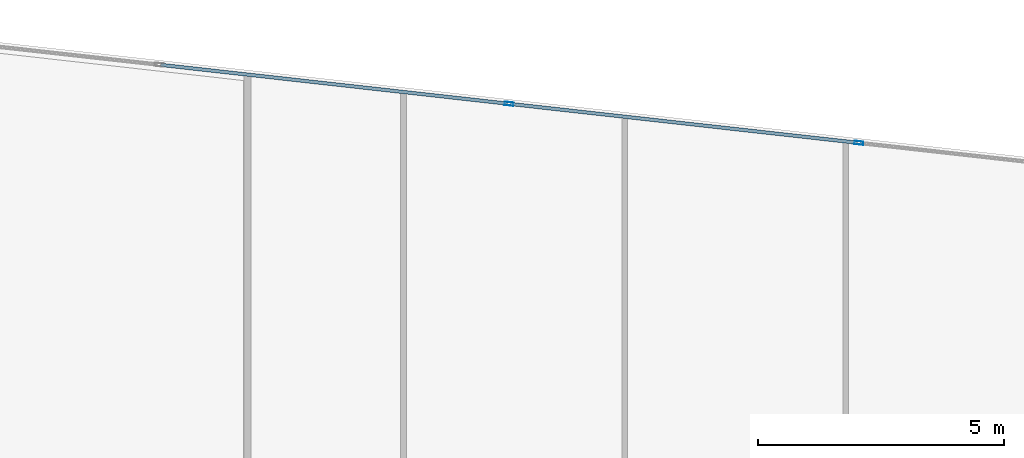
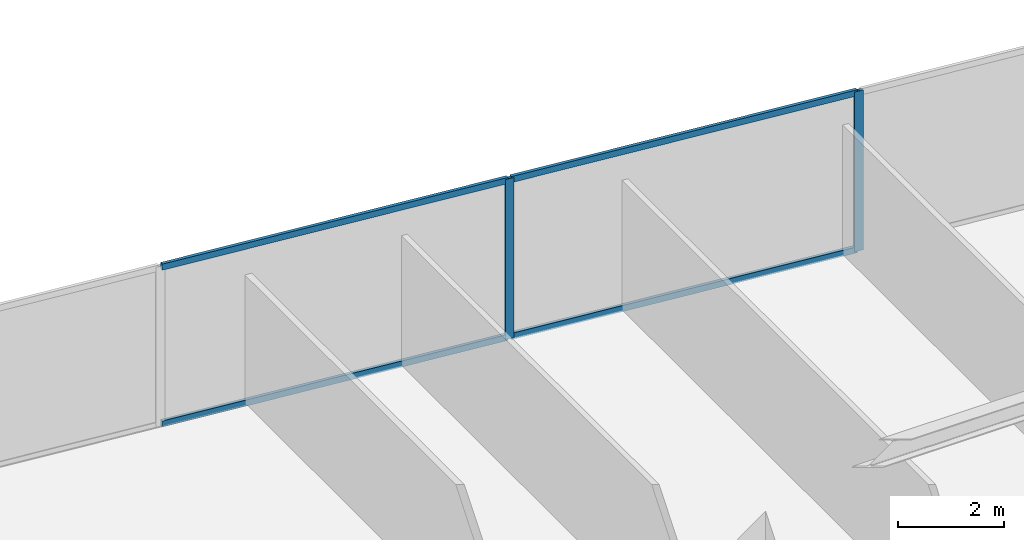
# One storey, part 19 of 31: 6 members, 1 element without a shape of its own.
"""IFC4 building model written with IfcOpenShell, lengths in metres."""

from ifc_helpers import new_model, si_unit, direction, frame, origin, origin_2d, place, context, subcontext, project, spatial, hollow_rectangle, extrude, source, transform, mapped, material, material_profile, profile_set, type_object, type_shapes, element, aggregate, save


model = new_model("IFC4")

# Units and contexts
model_context = context("Model", 3, precision=1e-05, world=origin(), true_north=direction((0.0, 1.0)))
body_context = subcontext(model_context, "Body", "Model", "MODEL_VIEW")
ifc_project = project(units=[si_unit("LENGTHUNIT", "METRE"), si_unit("AREAUNIT", "SQUARE_METRE"), si_unit("VOLUMEUNIT", "CUBIC_METRE"), si_unit("PLANEANGLEUNIT", "RADIAN"), si_unit("MASSUNIT", "GRAM", prefix="KILO")], contexts=[model_context])

# Site, building, storey
site_placement = place(None, origin())
site = spatial("IfcSite", under=ifc_project, at=site_placement, CompositionType="ELEMENT")
building_placement = place(site_placement, origin())
building = spatial("IfcBuilding", under=site, at=building_placement, Name="Krantzveldt Concourse Tower", CompositionType="ELEMENT")
storey_placement = place(building_placement, frame((0.0, 0.0, 56.60009765625)))
storey = spatial("IfcBuildingStorey", under=building, at=storey_placement, Name="L13", CompositionType="ELEMENT", Elevation=56.60009765625)

# Curtain wall, members
ifc_material = material(Name="Anodised aluminium 6063-T6", Category="aluminium")
curtain_wall_type = type_object("IfcCurtainWallType", Name="CW2", PredefinedType="USERDEFINED", material=ifc_material)
curtain_wall_placement = place(storey_placement, origin())
curtain_wall = element("IfcCurtainWall", 1, at=curtain_wall_placement, inside=storey, type_object=curtain_wall_type, Name="CW-L13-F10", ObjectType="UNITISED CURTAIN WALL", PredefinedType="USERDEFINED")
ifc_material_profile_1 = material_profile(ifc_material, hollow_rectangle(XDim=0.070068359375, YDim=0.179931640625, WallThickness=0.0048828125, at=origin_2d()), Name="Anodised aluminium 6063-T6", Category="aluminium")
ifc_profile_set_1 = profile_set([ifc_material_profile_1], Name="Anodised aluminium 6063-T6 - ALU-MULL 180x70x5")
member_type_1 = type_object("IfcMemberType", Name="CW-MUL-180", PredefinedType="MULLION", material=ifc_profile_set_1)
shared_shape_1 = source(origin(), body_context, "Body", "SweptSolid", [
    extrude(hollow_rectangle(XDim=0.070068359375, YDim=0.179931640625, WallThickness=0.0048828125, at=origin_2d()), origin(), (0.0, 0.0, 1.0), 3.669921875),
])
type_shapes(member_type_1, [shared_shape_1])
member_1_placement = place(storey_placement, frame((38.765869140625, 51.4560546875, 0.0), z_axis=(0.0, 0.0, 1.0), x_axis=(-0.111035342863, -0.993816458223, 0.0)))
member_1 = element("IfcMember", 2, at=member_1_placement, type_object=member_type_1, Name="CW-Z12 mullion 4", PredefinedType="MULLION", context=body_context, shape_type="MappedRepresentation", body=[
    mapped(shared_shape_1, transform((0.0, 0.0, 0.0), x_axis=(1.0, 0.0, 0.0), y_axis=(0.0, 1.0, 0.0), z_axis=(0.0, 0.0, 1.0), scale=1.0)),
])
member_2_placement = place(storey_placement, frame((31.6435546875, 52.251708984375, 0.0), z_axis=(0.0, 0.0, 1.0), x_axis=(-0.111035342863, -0.993816458223, 0.0)))
member_2 = element("IfcMember", 3, at=member_2_placement, type_object=member_type_1, Name="CW-Z12 mullion 5", PredefinedType="MULLION", context=body_context, shape_type="MappedRepresentation", body=[
    mapped(shared_shape_1, transform((0.0, 0.0, 0.0), x_axis=(1.0, 0.0, 0.0), y_axis=(0.0, 1.0, 0.0), z_axis=(0.0, 0.0, 1.0), scale=1.0)),
])
ifc_material_profile_2 = material_profile(ifc_material, hollow_rectangle(XDim=0.070068359375, YDim=0.139892578125, WallThickness=0.0048828125, at=origin_2d()), Name="Anodised aluminium 6063-T6", Category="aluminium")
ifc_profile_set_2 = profile_set([ifc_material_profile_2], Name="Anodised aluminium 6063-T6 - ALU-TRAN 140x70x5")
member_type_2 = type_object("IfcMemberType", Name="CW-TRN-150", PredefinedType="USERDEFINED", material=ifc_profile_set_2)
shared_shape_2 = source(origin(), body_context, "Body", "SweptSolid", [
    extrude(hollow_rectangle(XDim=0.070068359375, YDim=0.139892578125, WallThickness=0.0048828125, at=origin_2d()), origin(), (0.0, 0.0, 1.0), 7.0966796875),
])
member_3_placement = place(storey_placement, frame((31.608642578125, 52.255615234375, 0.034912109375), z_axis=(-0.993814737088, 0.111050746722, 0.0), x_axis=(-0.111050746722, -0.993814737088, 0.0)))
member_3 = element("IfcMember", 4, at=member_3_placement, type_object=member_type_2, Name="CW-Z12 transom 5.1", ObjectType="TRANSOM", PredefinedType="USERDEFINED", context=body_context, shape_type="MappedRepresentation", body=[
    mapped(shared_shape_2, transform((0.0, 0.0, 0.0), x_axis=(1.0, 0.0, 0.0), y_axis=(0.0, 1.0, 0.0), z_axis=(0.0, 0.0, 1.0), scale=1.0)),
])
member_4_placement = place(storey_placement, frame((31.608642578125, 52.255615234375, 3.635009765625), z_axis=(-0.993814737088, 0.111050746722, 0.0), x_axis=(-0.111050746722, -0.993814737088, 0.0)))
member_4 = element("IfcMember", 5, at=member_4_placement, type_object=member_type_2, Name="CW-Z12 transom 5.2", ObjectType="TRANSOM", PredefinedType="USERDEFINED", context=body_context, shape_type="MappedRepresentation", body=[
    mapped(shared_shape_2, transform((0.0, 0.0, 0.0), x_axis=(1.0, 0.0, 0.0), y_axis=(0.0, 1.0, 0.0), z_axis=(0.0, 0.0, 1.0), scale=1.0)),
])
shared_shape_3 = source(origin(), body_context, "Body", "SweptSolid", [
    extrude(hollow_rectangle(XDim=0.070068359375, YDim=0.139892578125, WallThickness=0.0048828125, at=origin_2d()), origin(), (0.0, 0.0, 1.0), 7.096923828125),
])
type_shapes(member_type_2, [shared_shape_2, shared_shape_3])
member_5_placement = place(storey_placement, frame((38.731201171875, 51.4599609375, 0.034912109375), z_axis=(-0.993818957275, 0.111012972935, 0.0), x_axis=(-0.111012972935, -0.993818957275, 0.0)))
member_5 = element("IfcMember", 6, at=member_5_placement, type_object=member_type_2, Name="CW-Z12 transom 4.1", ObjectType="TRANSOM", PredefinedType="USERDEFINED", context=body_context, shape_type="MappedRepresentation", body=[
    mapped(shared_shape_3, transform((0.0, 0.0, 0.0), x_axis=(1.0, 0.0, 0.0), y_axis=(0.0, 1.0, 0.0), z_axis=(0.0, 0.0, 1.0), scale=1.0)),
])
member_6_placement = place(storey_placement, frame((38.731201171875, 51.4599609375, 3.635009765625), z_axis=(-0.993818957275, 0.111012972935, 0.0), x_axis=(-0.111012972935, -0.993818957275, 0.0)))
member_6 = element("IfcMember", 7, at=member_6_placement, type_object=member_type_2, Name="CW-Z12 transom 4.2", ObjectType="TRANSOM", PredefinedType="USERDEFINED", context=body_context, shape_type="MappedRepresentation", body=[
    mapped(shared_shape_3, transform((0.0, 0.0, 0.0), x_axis=(1.0, 0.0, 0.0), y_axis=(0.0, 1.0, 0.0), z_axis=(0.0, 0.0, 1.0), scale=1.0)),
])
aggregate(curtain_wall, [member_1, member_2, member_5, member_6, member_3, member_4])

save(model, "model.ifc")
